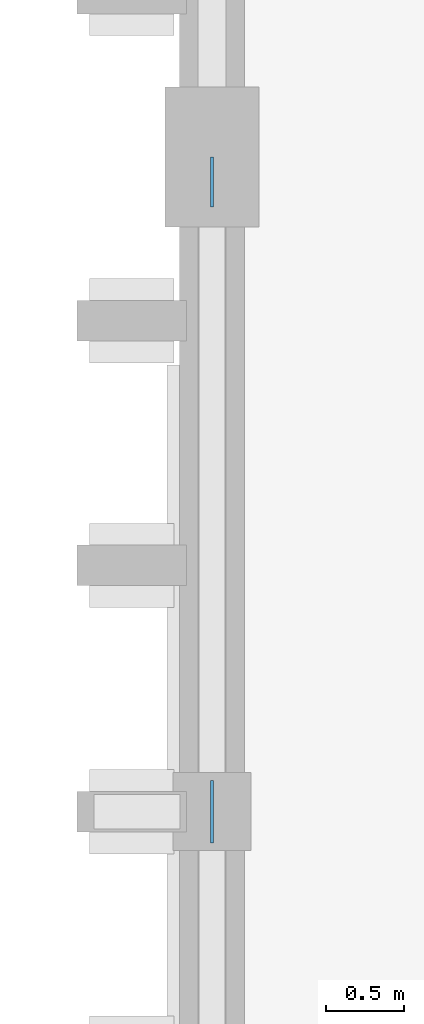
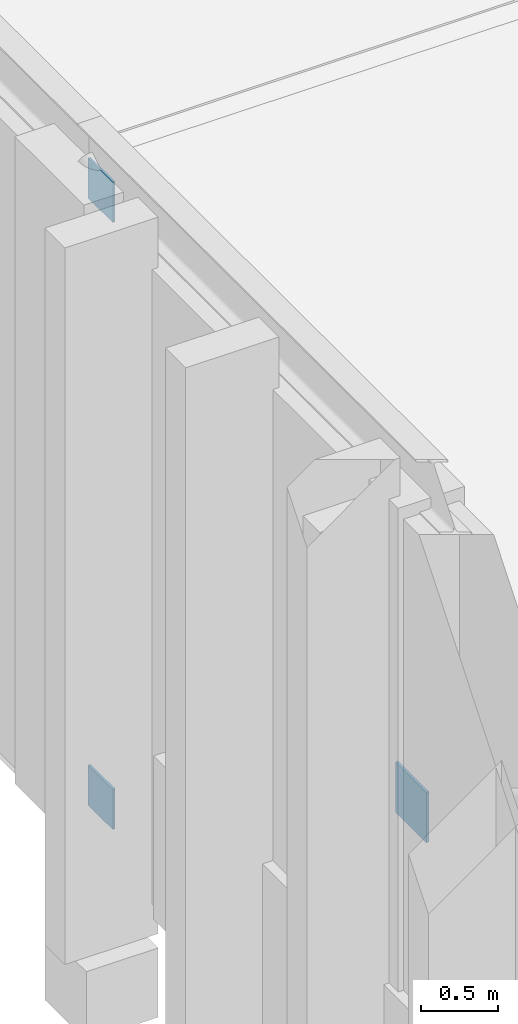
# One storey, part 83 of 143: 3 plates.
"""IFC4 building model written with IfcOpenShell, lengths in metres."""

from ifc_helpers import new_model, si_unit, direction, frame, origin, origin_2d, place, context, subcontext, project, spatial, rectangle, extrude, material, layer, layer_set, type_object, element, save


model = new_model("IFC4")

# Units and contexts
model_context = context("Model", 3, precision=1e-05, world=origin(), true_north=direction((0.0, 1.0)))
body_context = subcontext(model_context, "Body", "Model", "MODEL_VIEW")
ifc_project = project(units=[si_unit("LENGTHUNIT", "METRE"), si_unit("AREAUNIT", "SQUARE_METRE"), si_unit("VOLUMEUNIT", "CUBIC_METRE"), si_unit("PLANEANGLEUNIT", "RADIAN"), si_unit("MASSUNIT", "GRAM", prefix="KILO")], contexts=[model_context])

# Site, building, storey
site_placement = place(None, origin())
site = spatial("IfcSite", under=ifc_project, at=site_placement, CompositionType="ELEMENT")
building_placement = place(site_placement, origin())
building = spatial("IfcBuilding", under=site, at=building_placement, Name="Kveldsbrygga Polytechnic", CompositionType="ELEMENT")
storey_placement = place(building_placement, origin())
storey = spatial("IfcBuildingStorey", under=building, at=storey_placement, Name="L00", CompositionType="ELEMENT", Elevation=0.0)

# Plates
ifc_material = material(Name="Steel S355", Category="steel")
ifc_layer_1 = layer(ifc_material, 0.01806640625)
ifc_layer_set_1 = layer_set([ifc_layer_1], Name="Steel S355")
plate_type_1 = type_object("IfcPlateType", Name="GUS-BRACE-320", PredefinedType="SHEET", material=ifc_layer_set_1)
for number, where, z_axis, x_axis, name in (
    (1, (0.0, 33.43994140625, 4.81982421875), (0.0, 0.0, 1.0), (1.0, 0.0, 0.0), "Portal Brace End Gusset XGP-VBR-L00-W-3-2"),
    (2, (0.0, 33.43994140625, 0.0), (0.0, 0.0, 1.0), (1.0, 0.0, 0.0), "Portal Brace End Gusset XGP-VBR-L00-W-3-3"),
):
    element("IfcPlate", number, at=place(storey_placement, frame(where, z_axis=z_axis, x_axis=x_axis)), inside=storey, type_object=plate_type_1, Name=name, PredefinedType="SHEET", context=body_context, shape_type="SweptSolid", body=[
        extrude(rectangle(XDim=0.01806640625, YDim=0.320068359375, at=origin_2d()), origin(), (0.0, 0.0, 1.0), 0.320068359375),
    ])
ifc_layer_2 = layer(ifc_material, 0.02001953125)
ifc_layer_set_2 = layer_set([ifc_layer_2], Name="Steel S355")
plate_type_2 = type_object("IfcPlateType", Name="GUS-XBRACE-400", PredefinedType="SHEET", material=ifc_layer_set_2)
plate_placement = place(storey_placement, frame((0.0, 29.39990234375, 2.3701171875), z_axis=(0.0, 0.0, 1.0), x_axis=(1.0, 0.0, 0.0)))
element("IfcPlate", 3, at=plate_placement, inside=storey, type_object=plate_type_2, Name="Portal X-Brace Crossing Gusset XGP-VBR-L00-W-3-C", PredefinedType="SHEET", context=body_context, shape_type="SweptSolid", body=[
    extrude(rectangle(XDim=0.02001953125, YDim=0.39990234375, at=origin_2d()), origin(), (0.0, 0.0, 1.0), 0.39990234375),
])

save(model, "model.ifc")
